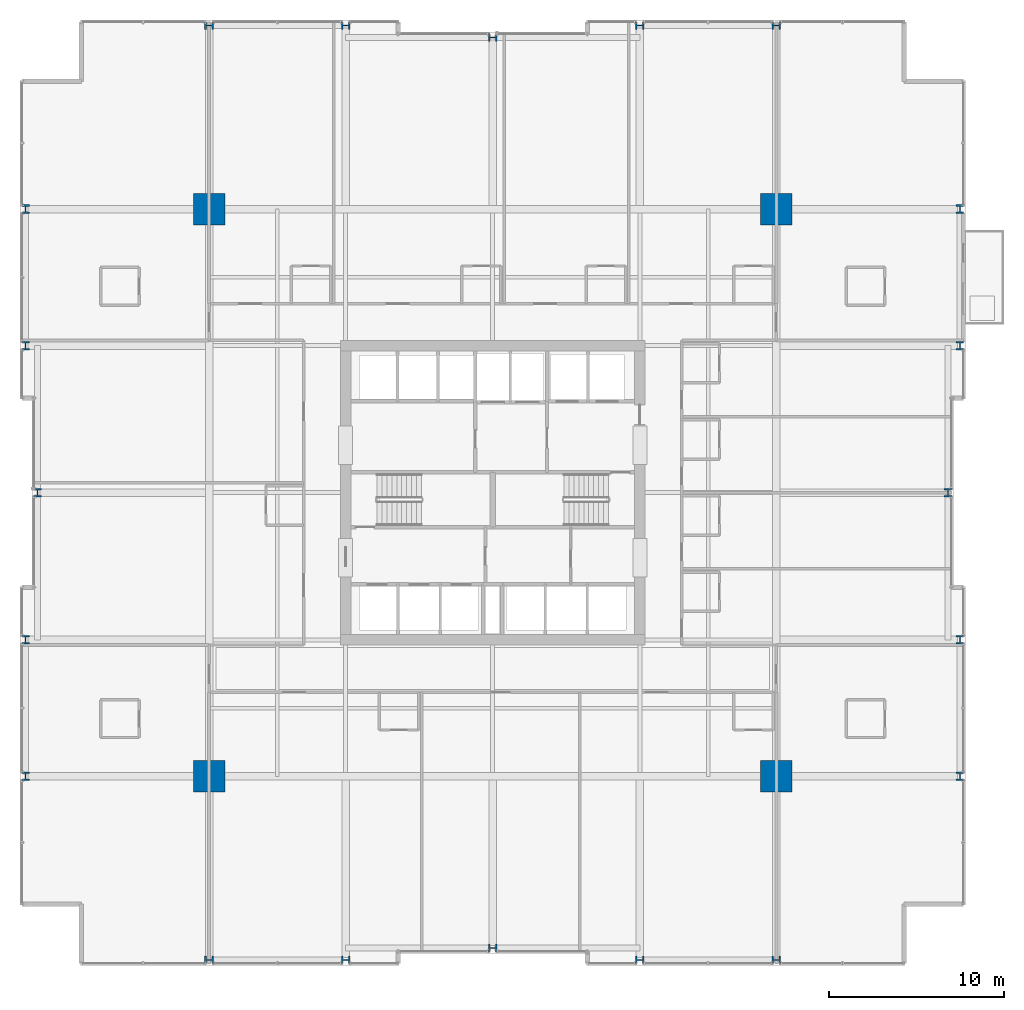
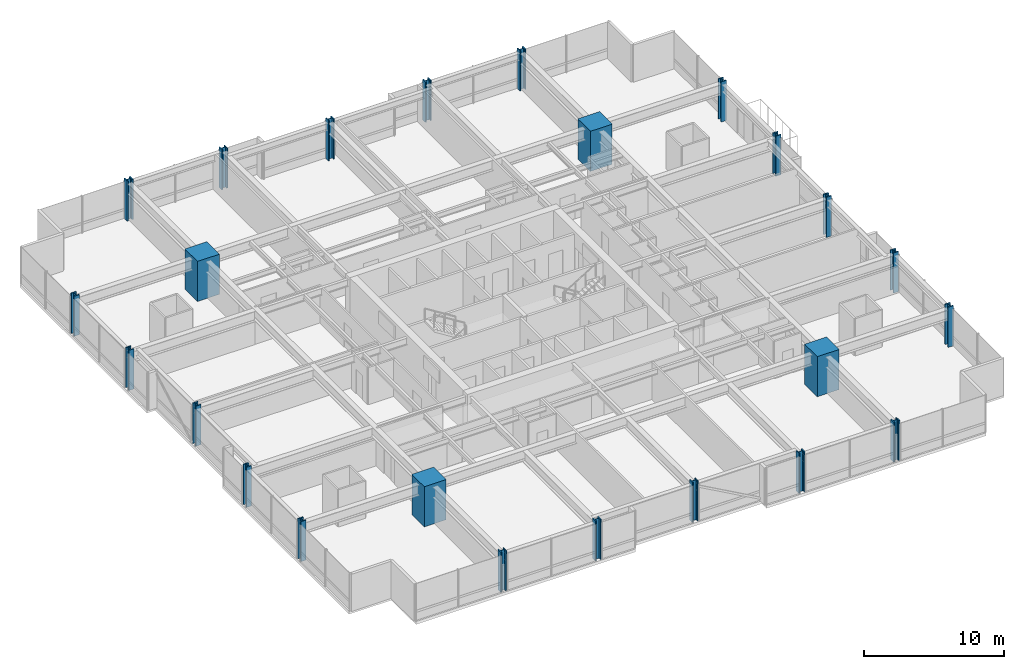
# One storey, part 1 of 37: 24 columns.
"""IFC4 building model written with IfcOpenShell, lengths in metres."""

import ifcopenshell
import ifcopenshell.guid

model = None  # the IFC model being written
_history = None  # IfcOwnerHistory: only IFC2X3 demands one
_inside = {}  # id of a spatial element -> (the spatial element, [elements in it])
_under = {}  # id of a project, library or spatial element -> (it, [spatial elements below it])
_declared = {}  # id of a project -> (the project, [libraries it declares])
_typed = {}  # id of a type object -> (the type object, [elements of that type])
_made_of = {}  # id of a material, layer set ... -> (it, [elements and type objects made of it])


def new_model(schema):
    """Start an empty IFC model of exactly this schema.

    Asked for "IFC4X3", IfcOpenShell would pick the latest addendum, in which some entities
    have other attributes; the version numbers below select the first issue.
    IFC2X3 requires an IfcOwnerHistory on every rooted entity: one is made here for all.
    """
    global model, _history
    if schema == "IFC4X3":
        model = ifcopenshell.file(schema_version=(4, 3, 0, 0))
    else:
        model = ifcopenshell.file(schema=schema)
    _inside.clear()
    _under.clear()
    _declared.clear()
    _typed.clear()
    _made_of.clear()
    _history = None
    if model.schema == "IFC2X3":
        org = make("IfcOrganization", Name="unknown")
        user = make(
            "IfcPersonAndOrganization",
            ThePerson=make("IfcPerson", FamilyName="unknown"),
            TheOrganization=org,
        )
        app = make(
            "IfcApplication",
            ApplicationDeveloper=org,
            Version="unknown",
            ApplicationFullName="unknown",
            ApplicationIdentifier="unknown",
        )
        _history = make(
            "IfcOwnerHistory",
            OwningUser=user,
            OwningApplication=app,
            ChangeAction="ADDED",
            CreationDate=0,
        )
    return model


def make(cls, **values):
    """One entity of the class cls with the attributes given. An attribute that is None is left unset."""
    return model.create_entity(
        cls, **{name: value for name, value in values.items() if value is not None}
    )


def rooted(cls, **values):
    """An entity with a GlobalId (a new one), such as an element, a storey or a relation."""
    return make(cls, GlobalId=ifcopenshell.guid.new(), OwnerHistory=_history, **values)


def si_unit(unit_type, name, prefix=None):
    """IfcSIUnit, for example si_unit("LENGTHUNIT", "METRE", prefix="MILLI")."""
    return make("IfcSIUnit", UnitType=unit_type, Prefix=prefix, Name=name)


def assignment(units):
    """IfcUnitAssignment: the units of a project."""
    return None if units is None else make("IfcUnitAssignment", Units=units)


def point(xyz):
    """IfcCartesianPoint."""
    return None if xyz is None else make("IfcCartesianPoint", Coordinates=xyz)


def direction(xyz):
    """IfcDirection."""
    return None if xyz is None else make("IfcDirection", DirectionRatios=xyz)


def frame(location, z_axis=None, x_axis=None):
    """IfcAxis2Placement3D, a coordinate frame: its origin and axes. An axis left out is left unset."""
    return make(
        "IfcAxis2Placement3D",
        Location=point(location),
        Axis=direction(z_axis),
        RefDirection=direction(x_axis),
    )


def frame_2d(location, x_axis=None):
    """IfcAxis2Placement2D, a coordinate frame in the plane: its origin and x axis."""
    return make(
        "IfcAxis2Placement2D", Location=point(location), RefDirection=direction(x_axis)
    )


def origin():
    """The frame at (0, 0, 0) with its axes left unset."""
    return frame((0.0, 0.0, 0.0))


def origin_2d():
    """The frame at (0, 0) in the plane with its x axis left unset."""
    return frame_2d((0.0, 0.0))


def place(relative_to, where):
    """IfcLocalPlacement: puts the frame where relative to a parent placement (None: the world)."""
    return make(
        "IfcLocalPlacement", PlacementRelTo=relative_to, RelativePlacement=where
    )


def context(
    kind, dimensions, precision=None, world=None, true_north=None, identifier=None
):
    """IfcGeometricRepresentationContext, for example the 3D "Model" context."""
    return make(
        "IfcGeometricRepresentationContext",
        ContextIdentifier=identifier,
        ContextType=kind,
        CoordinateSpaceDimension=dimensions,
        Precision=precision,
        WorldCoordinateSystem=world,
        TrueNorth=true_north,
    )


def subcontext(parent, identifier, kind, view, scale=None):
    """IfcGeometricRepresentationSubContext, for example "Body" below "Model"."""
    return make(
        "IfcGeometricRepresentationSubContext",
        ContextIdentifier=identifier,
        ContextType=kind,
        ParentContext=parent,
        TargetScale=scale,
        TargetView=view,
    )


def project(units=None, contexts=None):
    """IfcProject with its units and contexts."""
    return rooted(
        "IfcProject",
        Name="project",
        RepresentationContexts=contexts,
        UnitsInContext=assignment(units),
    )


def spatial(cls, under=None, at=None, **own):
    """A site, building, storey or space (cls), placed at a placement, below another one or the project."""
    s = rooted(cls, ObjectPlacement=at, **own)
    if under is not None:
        _under.setdefault(under.id(), (under, []))[1].append(s)
    return s


def profile(cls, at=None, kind="AREA", **sizes):
    """A parametric profile (cls). Its sizes go by their IFC names, for example OverallWidth=200.0."""
    return make(cls, ProfileType=kind, Position=at, **sizes)


def rectangle(**sizes):
    """IfcRectangleProfileDef."""
    return profile("IfcRectangleProfileDef", **sizes)


def i_section(**sizes):
    """IfcIShapeProfileDef."""
    return profile("IfcIShapeProfileDef", **sizes)


def extrude(swept, where, along, depth):
    """IfcExtrudedAreaSolid: the profile swept, set in the frame where, extruded along a direction by depth."""
    return make(
        "IfcExtrudedAreaSolid",
        SweptArea=swept,
        Position=where,
        ExtrudedDirection=direction(along),
        Depth=depth,
    )


def shape(context_of_items, identifier, shape_type, items):
    """IfcShapeRepresentation: the items that make up one representation, for example the "Body"."""
    return make(
        "IfcShapeRepresentation",
        ContextOfItems=context_of_items,
        RepresentationIdentifier=identifier,
        RepresentationType=shape_type,
        Items=items,
    )


def material(Name=None, Category=None):
    """IfcMaterial."""
    return make("IfcMaterial", Name=Name, Category=Category)


def material_profile(
    of_material, cross_section, Name=None, Category=None, Priority=None
):
    """IfcMaterialProfile: a cross section and its material."""
    return make(
        "IfcMaterialProfile",
        Name=Name,
        Material=of_material,
        Profile=cross_section,
        Priority=Priority,
        Category=Category,
    )


def profile_set(profiles, Name=None, composite=None):
    """IfcMaterialProfileSet."""
    return make(
        "IfcMaterialProfileSet",
        Name=Name,
        MaterialProfiles=profiles,
        CompositeProfile=composite,
    )


def made_of(thing, what):
    """Note that an element or type object is made of a material, layer set ...; save() writes the relation."""
    if what is not None:
        _made_of.setdefault(what.id(), (what, []))[1].append(thing)
    return thing


def type_object(cls, material=None, **own):
    """A type object (cls), such as IfcWallType, which elements share."""
    return made_of(rooted(cls, **own), material)


def element(
    cls,
    number,
    at=None,
    inside=None,
    cuts=None,
    type_object=None,
    material=None,
    context=None,
    identifier="Body",
    shape_type=None,
    held_by="IfcProductDefinitionShape",
    body=None,
    shapes=None,
    **own,
):
    """One element of the class cls, such as IfcWall. Its Tag is "e" and its number.

    at: its placement. inside: the storey or other place that contains it. cuts: it is an
    opening in that element (IfcRelVoidsElement). A single representation is given by context,
    identifier, shape_type and body (its items); several are given by shapes. held_by: the class
    of the entity that holds the representations. save() writes the other relations.
    """
    e = rooted(cls, Tag="e%d" % number, ObjectPlacement=at, **own)
    if body is not None:
        shapes = [shape(context, identifier, shape_type, body)]
    if shapes is not None:
        e.Representation = make(held_by, Representations=shapes)
    if inside is not None:
        _inside.setdefault(inside.id(), (inside, []))[1].append(e)
    if cuts is not None:
        rooted(
            "IfcRelVoidsElement", RelatingBuildingElement=cuts, RelatedOpeningElement=e
        )
    if type_object is not None:
        _typed.setdefault(type_object.id(), (type_object, []))[1].append(e)
    return made_of(e, material)


def aggregate(whole, parts):
    """IfcRelAggregates: a whole, such as a stair, and the parts it consists of."""
    return rooted("IfcRelAggregates", RelatingObject=whole, RelatedObjects=parts)


def save(model, path):
    """Write the relations noted so far, then the file.

    IfcRelAggregates (storeys below a building ...), IfcRelContainedInSpatialStructure (elements
    in a storey), IfcRelDefinesByType, IfcRelAssociatesMaterial and IfcRelDeclares: one each for
    every whole, place, type object, material and project.
    """
    for whole, parts in _under.values():
        aggregate(whole, parts)
    for where, things in _inside.values():
        rooted(
            "IfcRelContainedInSpatialStructure",
            RelatedElements=things,
            RelatingStructure=where,
        )
    for kind, things in _typed.values():
        rooted("IfcRelDefinesByType", RelatedObjects=things, RelatingType=kind)
    for what, things in _made_of.values():
        rooted("IfcRelAssociatesMaterial", RelatedObjects=things, RelatingMaterial=what)
    for by, libraries in _declared.values():
        rooted("IfcRelDeclares", RelatingContext=by, RelatedDefinitions=libraries)
    model.write(path)


model = new_model("IFC4")

# Units and contexts
model_context = context("Model", 3, precision=1e-05, world=origin(), true_north=direction((0.0, 1.0)))
body_context = subcontext(model_context, "Body", "Model", "MODEL_VIEW")
ifc_project = project(units=[si_unit("LENGTHUNIT", "METRE"), si_unit("AREAUNIT", "SQUARE_METRE"), si_unit("VOLUMEUNIT", "CUBIC_METRE"), si_unit("PLANEANGLEUNIT", "RADIAN"), si_unit("MASSUNIT", "GRAM", prefix="KILO")], contexts=[model_context])

# Site, building, storey
site_placement = place(None, origin())
site = spatial("IfcSite", under=ifc_project, at=site_placement, CompositionType="ELEMENT")
building_placement = place(site_placement, origin())
building = spatial("IfcBuilding", under=site, at=building_placement, Name="Drelvath Grand Hotel", CompositionType="ELEMENT")
storey_placement = place(building_placement, frame((0.0, 0.0, 43.699951171875)))
storey = spatial("IfcBuildingStorey", under=building, at=storey_placement, Name="L09", CompositionType="ELEMENT", Elevation=43.699951171875)

# Columns
ifc_material_1 = material(Name="Concrete f'c 70 MPa", Category="concrete")
ifc_material_profile_1 = material_profile(ifc_material_1, rectangle(XDim=1.800048828125, YDim=1.800048828125, at=origin_2d()), Name="MC1800X1800")
ifc_profile_set_1 = profile_set([ifc_material_profile_1], Name="Concrete f'c 70 MPa")
column_type_1 = type_object("IfcColumnType", Name="Composite Mega Column MC1800X1800", PredefinedType="COLUMN", material=ifc_profile_set_1)
for number, where, z_axis, x_axis, name in (
    (1, (-16.199951171875, 10.800048828125, 0.0), (0.0, 0.0, 1.0), (1.0, 0.0, 0.0), "L09 Composite Mega Column MC-SW"),
    (2, (16.199951171875, 10.800048828125, 0.0), (0.0, 0.0, 1.0), (1.0, 0.0, 0.0), "L09 Composite Mega Column MC-SE"),
    (3, (-16.199951171875, 43.199951171875, 0.0), (0.0, 0.0, 1.0), (1.0, 0.0, 0.0), "L09 Composite Mega Column MC-NW"),
    (4, (16.199951171875, 43.199951171875, 0.0), (0.0, 0.0, 1.0), (1.0, 0.0, 0.0), "L09 Composite Mega Column MC-NE"),
):
    element("IfcColumn", number, at=place(storey_placement, frame(where, z_axis=z_axis, x_axis=x_axis)), inside=storey, type_object=column_type_1, Name=name, PredefinedType="COLUMN", context=body_context, shape_type="SweptSolid", body=[
        extrude(rectangle(XDim=1.800048828125, YDim=1.800048828125, at=origin_2d()), origin(), (0.0, 0.0, 1.0), 3.5),
    ])
ifc_material_2 = material(Name="Steel ASTM A913 Gr 65", Category="steel")
ifc_material_profile_2 = material_profile(ifc_material_2, i_section(OverallWidth=0.43212890625, OverallDepth=0.497802734375, WebThickness=0.0556640625, FlangeThickness=0.0888671875, FilletRadius=0.030029296875, at=origin_2d()), Name="W14X500")
ifc_profile_set_2 = profile_set([ifc_material_profile_2], Name="Steel ASTM A913 Gr 65")
column_type_2 = type_object("IfcColumnType", Name="Perimeter Steel Column W14X500", PredefinedType="COLUMN", material=ifc_profile_set_2)
for number, where, z_axis, x_axis, name in (
    (5, (-26.679931640625, 10.800048828125, 0.0), (0.0, 0.0, 1.0), (1.0, 0.0, 0.0), "L09 Structural Column TCW-C"),
    (6, (26.679931640625, 10.800048828125, 0.0), (0.0, 0.0, 1.0), (1.0, 0.0, 0.0), "L09 Structural Column TCE-C"),
    (7, (-26.679931640625, 18.60009765625, 0.0), (0.0, 0.0, 1.0), (1.0, 0.0, 0.0), "L09 Structural Column TCW-D"),
    (8, (26.679931640625, 18.60009765625, 0.0), (0.0, 0.0, 1.0), (1.0, 0.0, 0.0), "L09 Structural Column TCE-D"),
    (9, (-26.0, 27.0, 0.0), (0.0, 0.0, 1.0), (1.0, 0.0, 0.0), "L09 Structural Column TCW-E"),
    (10, (26.0, 27.0, 0.0), (0.0, 0.0, 1.0), (1.0, 0.0, 0.0), "L09 Structural Column TCE-E"),
    (11, (-26.679931640625, 35.39990234375, 0.0), (0.0, 0.0, 1.0), (1.0, 0.0, 0.0), "L09 Structural Column TCW-F"),
    (12, (26.679931640625, 35.39990234375, 0.0), (0.0, 0.0, 1.0), (1.0, 0.0, 0.0), "L09 Structural Column TCE-F"),
    (13, (-26.679931640625, 43.199951171875, 0.0), (0.0, 0.0, 1.0), (1.0, 0.0, 0.0), "L09 Structural Column TCW-G"),
    (14, (26.679931640625, 43.199951171875, 0.0), (0.0, 0.0, 1.0), (1.0, 0.0, 0.0), "L09 Structural Column TCE-G"),
    (15, (-16.199951171875, 0.320068359375, 0.0), (0.0, 0.0, 1.0), (0.0, 1.0, 0.0), "L09 Structural Column TCS-3"),
    (16, (-16.199951171875, 53.679931640625, 0.0), (0.0, 0.0, 1.0), (0.0, 1.0, 0.0), "L09 Structural Column TCN-3"),
    (17, (-8.39990234375, 0.320068359375, 0.0), (0.0, 0.0, 1.0), (0.0, 1.0, 0.0), "L09 Structural Column TCS-4"),
    (18, (-8.39990234375, 53.679931640625, 0.0), (0.0, 0.0, 1.0), (0.0, 1.0, 0.0), "L09 Structural Column TCN-4"),
    (19, (0.0, 1.0, 0.0), (0.0, 0.0, 1.0), (0.0, 1.0, 0.0), "L09 Structural Column TCS-5"),
    (20, (0.0, 53.0, 0.0), (0.0, 0.0, 1.0), (0.0, 1.0, 0.0), "L09 Structural Column TCN-5"),
    (21, (8.39990234375, 0.320068359375, 0.0), (0.0, 0.0, 1.0), (0.0, 1.0, 0.0), "L09 Structural Column TCS-6"),
    (22, (8.39990234375, 53.679931640625, 0.0), (0.0, 0.0, 1.0), (0.0, 1.0, 0.0), "L09 Structural Column TCN-6"),
    (23, (16.199951171875, 0.320068359375, 0.0), (0.0, 0.0, 1.0), (0.0, 1.0, 0.0), "L09 Structural Column TCS-7"),
    (24, (16.199951171875, 53.679931640625, 0.0), (0.0, 0.0, 1.0), (0.0, 1.0, 0.0), "L09 Structural Column TCN-7"),
):
    element("IfcColumn", number, at=place(storey_placement, frame(where, z_axis=z_axis, x_axis=x_axis)), inside=storey, type_object=column_type_2, Name=name, PredefinedType="COLUMN", context=body_context, shape_type="SweptSolid", body=[
        extrude(i_section(OverallWidth=0.43212890625, OverallDepth=0.497802734375, WebThickness=0.0556640625, FlangeThickness=0.0888671875, FilletRadius=0.030029296875, at=origin_2d()), origin(), (0.0, 0.0, 1.0), 3.4970703125),
    ])

save(model, "model.ifc")
